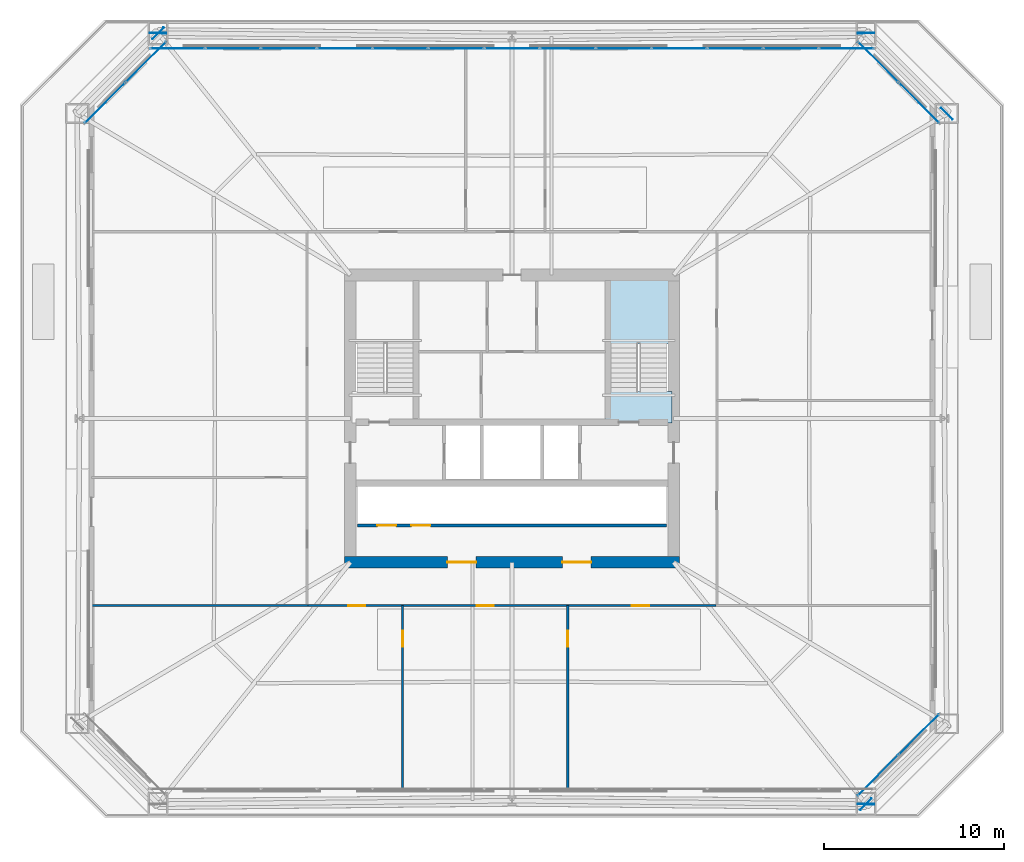
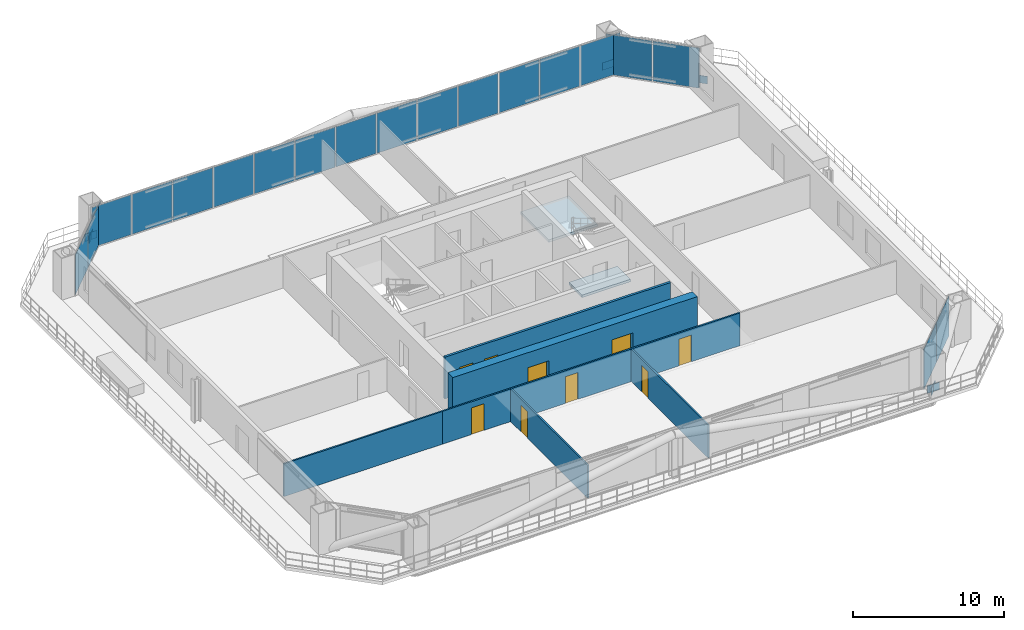
# One storey, part 28 of 34: 25 plates, 9 doors, 6 walls, 2 slabs, 9 openings, 5 elements without a shape of their own.
"""IFC4 building model written with IfcOpenShell, lengths in metres."""

from ifc_helpers import new_model, si_unit, direction, frame, frame_2d, origin, origin_2d, place, context, subcontext, project, spatial, polyline, rectangle, outline, extrude, material, layer, layer_set, type_object, element, fill, aggregate, save


model = new_model("IFC4")

# Units and contexts
model_context = context("Model", 3, precision=1e-05, world=origin(), true_north=direction((0.0, 1.0)))
body_context = subcontext(model_context, "Body", "Model", "MODEL_VIEW")
ifc_project = project(units=[si_unit("LENGTHUNIT", "METRE"), si_unit("AREAUNIT", "SQUARE_METRE"), si_unit("VOLUMEUNIT", "CUBIC_METRE"), si_unit("PLANEANGLEUNIT", "RADIAN"), si_unit("MASSUNIT", "GRAM", prefix="KILO")], contexts=[model_context])

# Site, building, storey
site_placement = place(None, origin())
site = spatial("IfcSite", under=ifc_project, at=site_placement, CompositionType="ELEMENT")
building_placement = place(site_placement, origin())
building = spatial("IfcBuilding", under=site, at=building_placement, Name="Caelvoria Tower", CompositionType="ELEMENT")
storey_placement = place(building_placement, frame((0.0, 0.0, 28.0)))
storey = spatial("IfcBuildingStorey", under=building, at=storey_placement, Name="L06", CompositionType="ELEMENT", Elevation=28.0)

# Curtain wall, plates
ifc_material_1 = material(Name="Anodised Bronze Aluminium and Low-E Glass", Category="aluminium")
ifc_layer_1 = layer(ifc_material_1, 0.18505859375, Name="Anodised Bronze Aluminium and Low-E Glass")
ifc_layer_set_1 = layer_set([ifc_layer_1], Name="CW System 2 Lower Tower Bronze Unitised Facade - Anodised Bronze Aluminium and Low-E Glass")
curtain_wall_type = type_object("IfcCurtainWallType", Name="CW System 2 Lower Tower Bronze Unitised Facade", PredefinedType="NOTDEFINED", material=ifc_layer_set_1)
curtain_wall_1_placement = place(storey_placement, origin())
curtain_wall_1 = element("IfcCurtainWall", 1, at=curtain_wall_1_placement, inside=storey, type_object=curtain_wall_type, Name="CW-02 Curtain Wall L06-E1", PredefinedType="NOTDEFINED")
ifc_material_2 = material(Name="Anodised Bronze Insulated Aluminium Panel", Category="aluminium")
ifc_layer_2 = layer(ifc_material_2, 0.031982421875, Name="Anodised Bronze Insulated Aluminium Panel")
ifc_layer_set_2 = layer_set([ifc_layer_2], Name="Insulated Bronze Spandrel Curtain Panel 32 - Anodised Bronze Insulated Aluminium Panel")
plate_type_1 = type_object("IfcPlateType", Name="Insulated Bronze Spandrel Curtain Panel 32", PredefinedType="CURTAIN_PANEL", material=ifc_layer_set_2)
plate_1_placement = place(storey_placement, frame((66.3857421875, 12.13720703125, 0.06494140625), z_axis=(0.0, 0.0, 1.0), x_axis=(0.707106781187, 0.707106781187, 0.0)))
plate_1 = element("IfcPlate", 2, at=plate_1_placement, type_object=plate_type_1, Name="CW-02 panel 1.1", PredefinedType="CURTAIN_PANEL", context=body_context, shape_type="SweptSolid", body=[
    extrude(rectangle(XDim=3.1552734375, YDim=0.031982421875, at=origin_2d()), origin(), (0.0, 0.0, 1.0), 3.22998046875),
])
plate_2_placement = place(storey_placement, frame((68.66259765625, 14.414306640625, 0.06494140625), z_axis=(0.0, 0.0, 1.0), x_axis=(0.707106781187, 0.707106781187, 0.0)))
plate_2 = element("IfcPlate", 3, at=plate_2_placement, type_object=plate_type_1, Name="CW-02 panel 2.1", PredefinedType="CURTAIN_PANEL", context=body_context, shape_type="SweptSolid", body=[
    extrude(rectangle(XDim=3.1552734375, YDim=0.031982421875, at=origin_2d()), origin(), (0.0, 0.0, 1.0), 3.22998046875),
])
aggregate(curtain_wall_1, [plate_1, plate_2])

curtain_wall_2_placement = place(storey_placement, origin())
curtain_wall_2 = element("IfcCurtainWall", 4, at=curtain_wall_2_placement, inside=storey, type_object=curtain_wall_type, Name="CW-02 Curtain Wall L06-E3", PredefinedType="NOTDEFINED")
plate_3_placement = place(storey_placement, frame((68.66259765625, 49.585693359375, 0.06494140625), z_axis=(0.0, 0.0, 1.0), x_axis=(-0.707106781187, 0.707106781187, 0.0)))
plate_3 = element("IfcPlate", 5, at=plate_3_placement, type_object=plate_type_1, Name="CW-02 panel 1.1", PredefinedType="CURTAIN_PANEL", context=body_context, shape_type="SweptSolid", body=[
    extrude(rectangle(XDim=3.1552734375, YDim=0.031982421875, at=origin_2d()), origin(), (0.0, 0.0, 1.0), 3.22998046875),
])
plate_4_placement = place(storey_placement, frame((66.3857421875, 51.86279296875, 0.06494140625), z_axis=(0.0, 0.0, 1.0), x_axis=(-0.707106781187, 0.707106781187, 0.0)))
plate_4 = element("IfcPlate", 6, at=plate_4_placement, type_object=plate_type_1, Name="CW-02 panel 2.1", PredefinedType="CURTAIN_PANEL", context=body_context, shape_type="SweptSolid", body=[
    extrude(rectangle(XDim=3.1552734375, YDim=0.031982421875, at=origin_2d()), origin(), (0.0, 0.0, 1.0), 3.22998046875),
])
aggregate(curtain_wall_2, [plate_3, plate_4])

curtain_wall_3_placement = place(storey_placement, origin())
curtain_wall_3 = element("IfcCurtainWall", 7, at=curtain_wall_3_placement, inside=storey, type_object=curtain_wall_type, Name="CW-02 Curtain Wall L06-E4", PredefinedType="NOTDEFINED")
plate_5_placement = place(storey_placement, frame((64.6298828125, 52.6201171875, 0.06494140625), z_axis=(0.0, 0.0, 1.0), x_axis=(-1.0, 0.0, 0.0)))
plate_5 = element("IfcPlate", 8, at=plate_5_placement, type_object=plate_type_1, Name="CW-02 panel 1.1", PredefinedType="CURTAIN_PANEL", context=body_context, shape_type="SweptSolid", body=[
    extrude(rectangle(XDim=3.01025390625, YDim=0.031982421875, at=origin_2d()), origin(), (0.0, 0.0, 1.0), 3.22998046875),
])
plate_6_placement = place(storey_placement, frame((61.53857421875, 52.6201171875, 0.06494140625), z_axis=(0.0, 0.0, 1.0), x_axis=(-1.0, 0.0, 0.0)))
plate_6 = element("IfcPlate", 9, at=plate_6_placement, type_object=plate_type_1, Name="CW-02 panel 2.1", PredefinedType="CURTAIN_PANEL", context=body_context, shape_type="SweptSolid", body=[
    extrude(rectangle(XDim=3.042724609375, YDim=0.031982421875, at=origin_2d()), origin(), (0.0, 0.0, 1.0), 3.22998046875),
])
plate_7_placement = place(storey_placement, frame((58.4306640625, 52.6201171875, 0.06494140625), z_axis=(0.0, 0.0, 1.0), x_axis=(-1.0, 0.0, 0.0)))
plate_7 = element("IfcPlate", 10, at=plate_7_placement, type_object=plate_type_1, Name="CW-02 panel 3.1", PredefinedType="CURTAIN_PANEL", context=body_context, shape_type="SweptSolid", body=[
    extrude(rectangle(XDim=3.042724609375, YDim=0.031982421875, at=origin_2d()), origin(), (0.0, 0.0, 1.0), 3.22998046875),
])
plate_8_placement = place(storey_placement, frame((55.322998046875, 52.6201171875, 0.06494140625), z_axis=(0.0, 0.0, 1.0), x_axis=(-1.0, 0.0, 0.0)))
plate_8 = element("IfcPlate", 11, at=plate_8_placement, type_object=plate_type_1, Name="CW-02 panel 4.1", PredefinedType="CURTAIN_PANEL", context=body_context, shape_type="SweptSolid", body=[
    extrude(rectangle(XDim=3.042724609375, YDim=0.031982421875, at=origin_2d()), origin(), (0.0, 0.0, 1.0), 3.22998046875),
])
plate_9_placement = place(storey_placement, frame((52.21533203125, 52.6201171875, 0.06494140625), z_axis=(0.0, 0.0, 1.0), x_axis=(-1.0, 0.0, 0.0)))
plate_9 = element("IfcPlate", 12, at=plate_9_placement, type_object=plate_type_1, Name="CW-02 panel 5.1", PredefinedType="CURTAIN_PANEL", context=body_context, shape_type="SweptSolid", body=[
    extrude(rectangle(XDim=3.042724609375, YDim=0.031982421875, at=origin_2d()), origin(), (0.0, 0.0, 1.0), 3.22998046875),
])
plate_10_placement = place(storey_placement, frame((49.107666015625, 52.6201171875, 0.06494140625), z_axis=(0.0, 0.0, 1.0), x_axis=(-1.0, 0.0, 0.0)))
plate_10 = element("IfcPlate", 13, at=plate_10_placement, type_object=plate_type_1, Name="CW-02 panel 6.1", PredefinedType="CURTAIN_PANEL", context=body_context, shape_type="SweptSolid", body=[
    extrude(rectangle(XDim=3.042724609375, YDim=0.031982421875, at=origin_2d()), origin(), (0.0, 0.0, 1.0), 3.22998046875),
])
plate_11_placement = place(storey_placement, frame((46.0, 52.6201171875, 0.06494140625), z_axis=(0.0, 0.0, 1.0), x_axis=(-1.0, 0.0, 0.0)))
plate_11 = element("IfcPlate", 14, at=plate_11_placement, type_object=plate_type_1, Name="CW-02 panel 7.1", PredefinedType="CURTAIN_PANEL", context=body_context, shape_type="SweptSolid", body=[
    extrude(rectangle(XDim=3.042724609375, YDim=0.031982421875, at=origin_2d()), origin(), (0.0, 0.0, 1.0), 3.22998046875),
])
plate_12_placement = place(storey_placement, frame((42.892333984375, 52.6201171875, 0.06494140625), z_axis=(0.0, 0.0, 1.0), x_axis=(-1.0, 0.0, 0.0)))
plate_12 = element("IfcPlate", 15, at=plate_12_placement, type_object=plate_type_1, Name="CW-02 panel 8.1", PredefinedType="CURTAIN_PANEL", context=body_context, shape_type="SweptSolid", body=[
    extrude(rectangle(XDim=3.042724609375, YDim=0.031982421875, at=origin_2d()), origin(), (0.0, 0.0, 1.0), 3.22998046875),
])
plate_13_placement = place(storey_placement, frame((39.78466796875, 52.6201171875, 0.06494140625), z_axis=(0.0, 0.0, 1.0), x_axis=(-1.0, 0.0, 0.0)))
plate_13 = element("IfcPlate", 16, at=plate_13_placement, type_object=plate_type_1, Name="CW-02 panel 9.1", PredefinedType="CURTAIN_PANEL", context=body_context, shape_type="SweptSolid", body=[
    extrude(rectangle(XDim=3.042724609375, YDim=0.031982421875, at=origin_2d()), origin(), (0.0, 0.0, 1.0), 3.22998046875),
])
plate_14_placement = place(storey_placement, frame((36.677001953125, 52.6201171875, 0.06494140625), z_axis=(0.0, 0.0, 1.0), x_axis=(-1.0, 0.0, 0.0)))
plate_14 = element("IfcPlate", 17, at=plate_14_placement, type_object=plate_type_1, Name="CW-02 panel 10.1", PredefinedType="CURTAIN_PANEL", context=body_context, shape_type="SweptSolid", body=[
    extrude(rectangle(XDim=3.042724609375, YDim=0.031982421875, at=origin_2d()), origin(), (0.0, 0.0, 1.0), 3.22998046875),
])
plate_15_placement = place(storey_placement, frame((33.5693359375, 52.6201171875, 0.06494140625), z_axis=(0.0, 0.0, 1.0), x_axis=(-1.0, 0.0, 0.0)))
plate_15 = element("IfcPlate", 18, at=plate_15_placement, type_object=plate_type_1, Name="CW-02 panel 11.1", PredefinedType="CURTAIN_PANEL", context=body_context, shape_type="SweptSolid", body=[
    extrude(rectangle(XDim=3.042724609375, YDim=0.031982421875, at=origin_2d()), origin(), (0.0, 0.0, 1.0), 3.22998046875),
])
plate_16_placement = place(storey_placement, frame((30.46142578125, 52.6201171875, 0.06494140625), z_axis=(0.0, 0.0, 1.0), x_axis=(-1.0, 0.0, 0.0)))
plate_16 = element("IfcPlate", 19, at=plate_16_placement, type_object=plate_type_1, Name="CW-02 panel 12.1", PredefinedType="CURTAIN_PANEL", context=body_context, shape_type="SweptSolid", body=[
    extrude(rectangle(XDim=3.042724609375, YDim=0.031982421875, at=origin_2d()), origin(), (0.0, 0.0, 1.0), 3.22998046875),
])
plate_17_placement = place(storey_placement, frame((27.3701171875, 52.6201171875, 0.06494140625), z_axis=(0.0, 0.0, 1.0), x_axis=(-1.0, 0.0, 0.0)))
plate_17 = element("IfcPlate", 20, at=plate_17_placement, type_object=plate_type_1, Name="CW-02 panel 13.1", PredefinedType="CURTAIN_PANEL", context=body_context, shape_type="SweptSolid", body=[
    extrude(rectangle(XDim=3.01025390625, YDim=0.031982421875, at=origin_2d()), origin(), (0.0, 0.0, 1.0), 3.22998046875),
])
aggregate(curtain_wall_3, [plate_5, plate_6, plate_7, plate_8, plate_9, plate_10, plate_11, plate_12, plate_13, plate_14, plate_15, plate_16, plate_17])

curtain_wall_4_placement = place(storey_placement, origin())
curtain_wall_4 = element("IfcCurtainWall", 21, at=curtain_wall_4_placement, inside=storey, type_object=curtain_wall_type, Name="CW-02 Curtain Wall L06-E5", PredefinedType="NOTDEFINED")
plate_18_placement = place(storey_placement, frame((25.6142578125, 51.86279296875, 0.06494140625), z_axis=(0.0, 0.0, 1.0), x_axis=(-0.707106781187, -0.707106781187, 0.0)))
plate_18 = element("IfcPlate", 22, at=plate_18_placement, type_object=plate_type_1, Name="CW-02 panel 1.1", PredefinedType="CURTAIN_PANEL", context=body_context, shape_type="SweptSolid", body=[
    extrude(rectangle(XDim=3.1552734375, YDim=0.031982421875, at=origin_2d()), origin(), (0.0, 0.0, 1.0), 3.22998046875),
])
plate_19_placement = place(storey_placement, frame((23.33740234375, 49.585693359375, 0.06494140625), z_axis=(0.0, 0.0, 1.0), x_axis=(-0.707106781187, -0.707106781187, 0.0)))
plate_19 = element("IfcPlate", 23, at=plate_19_placement, type_object=plate_type_1, Name="CW-02 panel 2.1", PredefinedType="CURTAIN_PANEL", context=body_context, shape_type="SweptSolid", body=[
    extrude(rectangle(XDim=3.1552734375, YDim=0.031982421875, at=origin_2d()), origin(), (0.0, 0.0, 1.0), 3.22998046875),
])
aggregate(curtain_wall_4, [plate_18, plate_19])

# Plates
ifc_material_3 = material(Name="Structural Steel ASTM A572 Gr.50", Category="steel")
ifc_layer_3 = layer(ifc_material_3, 0.0400390625, Name="Structural Steel ASTM A572 Gr.50")
ifc_layer_set_3 = layer_set([ifc_layer_3], Name="Megaframe Node Gusset Plate 900x600x40 - Structural Steel ASTM A572 Gr.50")
plate_type_2 = type_object("IfcPlateType", Name="Megaframe Node Gusset Plate 900x600x40", PredefinedType="USERDEFINED", material=ifc_layer_set_3)
for number, where, z_axis, x_axis, name in (
    (24, (65.712890625, 10.530517578125, 0.02001953125), (0.0, 0.0, 1.0), (0.708247433284, 0.705964286099, 0.0), "Chamfer Mega Brace Gusset L06 SE"),
    (25, (70.210693359375, 48.986572265625, 0.02001953125), (0.0, 0.0, 1.0), (-0.708247433284, 0.705964286099, 0.0), "Chamfer Mega Brace Gusset L06 NE"),
    (26, (26.287109375, 53.469482421875, 0.02001953125), (0.0, 0.0, 1.0), (-0.708247433284, -0.705964286099, 0.0), "Chamfer Mega Brace Gusset L06 NW"),
    (27, (65.712890625, 10.530517578125, 0.050048828125), (0.0, 0.0, 1.0), (-0.999953742494, 0.009618361198, 0.0), "Megaframe Node Gusset Plate ND-01"),
    (28, (65.712890625, 53.469482421875, 0.050048828125), (0.0, 0.0, 1.0), (-0.999953742494, -0.009618361198, 0.0), "Megaframe Node Gusset Plate ND-01"),
    (29, (26.287109375, 53.469482421875, 0.050048828125), (0.0, 0.0, 1.0), (0.999953742494, -0.009618361198, 0.0), "Megaframe Node Gusset Plate ND-01"),
):
    element("IfcPlate", number, at=place(storey_placement, frame(where, z_axis=z_axis, x_axis=x_axis)), inside=storey, type_object=plate_type_2, Name=name, ObjectType="GUSSET_PLATE", PredefinedType="USERDEFINED", context=body_context, shape_type="SweptSolid", body=[
        extrude(rectangle(XDim=0.89990234375, YDim=0.0400390625, at=origin_2d()), origin(), (0.0, 0.0, 1.0), 0.60009765625),
    ])

# Stair, slabs
ifc_material_4 = material(Name="Concrete C40/50", Category="concrete")
stair_type = type_object("IfcStairType", Name="Core Smokeproof Dogleg Stair Concrete C40/50", PredefinedType="HALF_TURN_STAIR", material=ifc_material_4)
stair_placement = place(storey_placement, origin())
stair = element("IfcStair", 30, at=stair_placement, inside=storey, type_object=stair_type, Name="ST-02 Smokeproof Exit Stair L06", PredefinedType="HALF_TURN_STAIR")
ifc_layer_4 = layer(ifc_material_4, 0.199951171875, Name="Concrete C40/50")
ifc_layer_set_4 = layer_set([ifc_layer_4], Name="Stair Half and Floor Landing Slab 200 Concrete C40/50 - Concrete C40/50")
slab_type = type_object("IfcSlabType", Name="Stair Half and Floor Landing Slab 200 Concrete C40/50", PredefinedType="LANDING", material=ifc_layer_set_4)
slab_1_placement = place(storey_placement, frame((0.0, 0.0, -0.199951171875)))
slab_1 = element("IfcSlab", 31, at=slab_1_placement, type_object=slab_type, Name="ST-02 landing 1", PredefinedType="LANDING", context=body_context, shape_type="SweptSolid", body=[
    extrude(outline(polyline([(51.199951171875, 31.77001953125), (54.89990234375, 31.77001953125), (54.89990234375, 33.5), (51.199951171875, 33.5), (51.199951171875, 31.77001953125)])), origin(), (0.0, 0.0, 1.0), 0.199951171875),
])
slab_2_placement = place(storey_placement, frame((0.0, 0.0, 1.60009765625)))
slab_2 = element("IfcSlab", 32, at=slab_2_placement, type_object=slab_type, Name="ST-02 landing 2", PredefinedType="LANDING", context=body_context, shape_type="SweptSolid", body=[
    extrude(outline(polyline([(51.199951171875, 36.14990234375), (54.89990234375, 36.14990234375), (54.89990234375, 39.89990234375), (51.199951171875, 39.89990234375), (51.199951171875, 36.14990234375)])), origin(), (0.0, 0.0, 1.0), 0.199951171875),
])
aggregate(stair, [slab_1, slab_2])

# Wall, openings, doors
ifc_material_5 = material(Name="Concrete Block and Fireboard Assembly", Category="concrete")
ifc_layer_5 = layer(ifc_material_5, 0.179931640625, Name="Concrete Block and Fireboard Assembly")
ifc_layer_set_5 = layer_set([ifc_layer_5], Name="Fire-Rated Hoistway Partition Wall 180 - Concrete Block and Fireboard Assembly")
wall_type_1 = type_object("IfcWallType", Name="Fire-Rated Hoistway Partition Wall 180", PredefinedType="PARTITIONING", material=ifc_layer_set_5)
wall_1_placement = place(storey_placement, frame((37.39990234375, 26.050048828125, 0.0), z_axis=(0.0, 0.0, 1.0), x_axis=(1.0, 0.0, 0.0)))
wall_1 = element("IfcWall", 33, at=wall_1_placement, inside=storey, type_object=wall_type_1, Name="Interior Partition IW-L06-LFRONT", PredefinedType="PARTITIONING", context=body_context, shape_type="SweptSolid", body=[
    extrude(rectangle(XDim=17.2001953125, YDim=0.179931640625, at=frame_2d((8.60009765625, 0.0))), origin(), (0.0, 0.0, 1.0), 3.360107421875),
])
opening_1_placement = place(wall_1_placement, frame((1.10009765625, 0.0, 0.0)))
opening_1 = element("IfcOpeningElement", 34, at=opening_1_placement, cuts=wall_1, Name="Opening LD-01", PredefinedType="OPENING", context=body_context, shape_type="SweptSolid", body=[
    extrude(rectangle(XDim=1.050048828125, YDim=2.14990234375, at=frame_2d((0.52490234375, 1.074951171875))), frame((0.0, 0.099853515625, 0.0), z_axis=(0.0, -1.0, 0.0), x_axis=(1.0, 0.0, 0.0)), (0.0, 0.0, 1.0), 0.199951171875),
])
opening_2_placement = place(wall_1_placement, frame((3.0, 0.0, 0.0)))
opening_2 = element("IfcOpeningElement", 35, at=opening_2_placement, cuts=wall_1, Name="Opening LD-01", PredefinedType="OPENING", context=body_context, shape_type="SweptSolid", body=[
    extrude(rectangle(XDim=1.050048828125, YDim=2.14990234375, at=frame_2d((0.52490234375, 1.074951171875))), frame((0.0, 0.099853515625, 0.0), z_axis=(0.0, -1.0, 0.0), x_axis=(1.0, 0.0, 0.0)), (0.0, 0.0, 1.0), 0.199951171875),
])
ifc_material_6 = material(Name="Brushed Bronze Stainless Sliding Landing Door", Category="aluminium")
door_type_1 = type_object("IfcDoorType", Name="Lift Landing Sliding Door 1100x2150", OperationType="NOTDEFINED", PredefinedType="DOOR", material=ifc_material_6)
door_1_placement = place(opening_1_placement, origin())
door_1 = element("IfcDoor", 36, at=door_1_placement, inside=storey, type_object=door_type_1, Name="Interior Door LD-L06-PL1", OperationType="SLIDING_TO_LEFT", OverallHeight=2.14990234375, OverallWidth=1.050048828125, PredefinedType="DOOR", context=body_context, shape_type="SweptSolid", body=[
    extrude(rectangle(XDim=1.050048828125, YDim=2.14990234375, at=frame_2d((0.52490234375, 1.074951171875))), frame((0.0, 0.02490234375, 0.0), z_axis=(0.0, -1.0, 0.0), x_axis=(1.0, 0.0, 0.0)), (0.0, 0.0, 1.0), 0.050048828125),
])
fill(opening_1, door_1)
door_2_placement = place(opening_2_placement, origin())
door_2 = element("IfcDoor", 37, at=door_2_placement, inside=storey, type_object=door_type_1, Name="Interior Door LD-L06-PL2", OperationType="SLIDING_TO_RIGHT", OverallHeight=2.14990234375, OverallWidth=1.050048828125, PredefinedType="DOOR", context=body_context, shape_type="SweptSolid", body=[
    extrude(rectangle(XDim=1.050048828125, YDim=2.14990234375, at=frame_2d((0.52490234375, 1.074951171875))), frame((0.0, 0.02490234375, 0.0), z_axis=(0.0, -1.0, 0.0), x_axis=(1.0, 0.0, 0.0)), (0.0, 0.0, 1.0), 0.050048828125),
])
fill(opening_2, door_2)

ifc_material_7 = material(Name="Concrete C60/75", Category="concrete")
ifc_layer_6 = layer(ifc_material_7, 0.64990234375, Name="Concrete C60/75")
ifc_layer_set_6 = layer_set([ifc_layer_6], Name="Lower Core Shear Wall 650 - Concrete C60/75")
wall_type_2 = type_object("IfcWallType", Name="Lower Core Shear Wall 650", PredefinedType="SHEAR", material=ifc_layer_set_6)
wall_2_placement = place(storey_placement, frame((36.675048828125, 24.0, 0.0), z_axis=(0.0, 0.0, 1.0), x_axis=(1.0, 0.0, 0.0)))
wall_2 = element("IfcWall", 38, at=wall_2_placement, inside=storey, type_object=wall_type_2, Name="Core Shear Wall L06 S", PredefinedType="SHEAR", context=body_context, shape_type="SweptSolid", body=[
    extrude(rectangle(XDim=18.64990234375, YDim=0.64990234375, at=frame_2d((9.324951171875, 0.0))), origin(), (0.0, 0.0, 1.0), 3.360107421875),
])
opening_3_placement = place(wall_2_placement, frame((5.72509765625, 0.0, 0.0)))
opening_3 = element("IfcOpeningElement", 39, at=opening_3_placement, cuts=wall_2, Name="Opening ID-08", PredefinedType="OPENING", context=body_context, shape_type="SweptSolid", body=[
    extrude(rectangle(XDim=1.60009765625, YDim=2.14990234375, at=frame_2d((0.800048828125, 1.074951171875))), frame((0.0, 0.3349609375, 0.0), z_axis=(0.0, -1.0, 0.0), x_axis=(1.0, 0.0, 0.0)), (0.0, 0.0, 1.0), 0.669921875),
])
opening_4_placement = place(wall_2_placement, frame((12.125, 0.0, 0.0)))
opening_4 = element("IfcOpeningElement", 40, at=opening_4_placement, cuts=wall_2, Name="Opening ID-08", PredefinedType="OPENING", context=body_context, shape_type="SweptSolid", body=[
    extrude(rectangle(XDim=1.60009765625, YDim=2.14990234375, at=frame_2d((0.800048828125, 1.074951171875))), frame((0.0, 0.3349609375, 0.0), z_axis=(0.0, -1.0, 0.0), x_axis=(1.0, 0.0, 0.0)), (0.0, 0.0, 1.0), 0.669921875),
])
ifc_material_8 = material(Name="Bronze-Framed Fire-Rated Glazed Double Door", Category="aluminium")
door_type_2 = type_object("IfcDoorType", Name="Double Lobby Glazed Door 1600x2200", OperationType="NOTDEFINED", PredefinedType="DOOR", material=ifc_material_8)
door_3_placement = place(opening_3_placement, origin())
door_3 = element("IfcDoor", 41, at=door_3_placement, inside=storey, type_object=door_type_2, Name="Core Door DR-L06-LLOB-S1", OperationType="DOUBLE_DOOR_SINGLE_SWING", OverallHeight=2.14990234375, OverallWidth=1.60009765625, PredefinedType="DOOR", context=body_context, shape_type="SweptSolid", body=[
    extrude(rectangle(XDim=1.60009765625, YDim=2.14990234375, at=frame_2d((0.800048828125, 1.074951171875))), frame((0.0, 0.02490234375, 0.0), z_axis=(0.0, -1.0, 0.0), x_axis=(1.0, 0.0, 0.0)), (0.0, 0.0, 1.0), 0.050048828125),
])
fill(opening_3, door_3)
door_4_placement = place(opening_4_placement, origin())
door_4 = element("IfcDoor", 42, at=door_4_placement, inside=storey, type_object=door_type_2, Name="Core Door DR-L06-LLOB-S2", OperationType="DOUBLE_DOOR_SINGLE_SWING", OverallHeight=2.14990234375, OverallWidth=1.60009765625, PredefinedType="DOOR", context=body_context, shape_type="SweptSolid", body=[
    extrude(rectangle(XDim=1.60009765625, YDim=2.14990234375, at=frame_2d((0.800048828125, 1.074951171875))), frame((0.0, 0.02490234375, 0.0), z_axis=(0.0, -1.0, 0.0), x_axis=(1.0, 0.0, 0.0)), (0.0, 0.0, 1.0), 0.050048828125),
])
fill(opening_4, door_4)

# Wall, opening, door
ifc_material_9 = material(Name="Acoustic Gypsum Board on Light-Gauge Stud", Category="gypsum")
ifc_layer_7 = layer(ifc_material_9, 0.1201171875, Name="Acoustic Gypsum Board on Light-Gauge Stud")
ifc_layer_set_7 = layer_set([ifc_layer_7], Name="Tenant Suite Acoustic Partition Wall 120 - Acoustic Gypsum Board on Light-Gauge Stud")
wall_type_3 = type_object("IfcWallType", Name="Tenant Suite Acoustic Partition Wall 120", PredefinedType="PARTITIONING", material=ifc_layer_set_7)
wall_3_placement = place(storey_placement, frame((39.90869140625, 21.590087890625, 0.0), z_axis=(0.0, 0.0, 1.0), x_axis=(0.0, -1.0, 0.0)))
wall_3 = element("IfcWall", 43, at=wall_3_placement, inside=storey, type_object=wall_type_3, Name="Interior Partition IW-L06-SD-00-0", PredefinedType="PARTITIONING", context=body_context, shape_type="SweptSolid", body=[
    extrude(rectangle(XDim=10.210205078125, YDim=0.1201171875, at=frame_2d((5.10498046875, 0.0))), origin(), (0.0, 0.0, 1.0), 2.639892578125),
])
opening_5_placement = place(wall_3_placement, frame((1.39990234375, 0.0, 0.0)))
opening_5 = element("IfcOpeningElement", 44, at=opening_5_placement, cuts=wall_3, Name="Opening ID-06", PredefinedType="OPENING", context=body_context, shape_type="SweptSolid", body=[
    extrude(rectangle(XDim=0.89990234375, YDim=2.14990234375, at=frame_2d((0.449951171875, 1.074951171875))), frame((0.0, 0.070068359375, 0.0), z_axis=(0.0, -1.0, 0.0), x_axis=(1.0, 0.0, 0.0)), (0.0, 0.0, 1.0), 0.14013671875),
])
ifc_material_10 = material(Name="Engineered Andean Oak Veneer Door", Category="wood")
door_type_3 = type_object("IfcDoorType", Name="Interior Timber Door 900x2150", OperationType="NOTDEFINED", PredefinedType="DOOR", material=ifc_material_10)
door_5_placement = place(opening_5_placement, origin())
door_5 = element("IfcDoor", 45, at=door_5_placement, inside=storey, type_object=door_type_3, Name="Interior Door DR-L06-SM-00-0", OperationType="SINGLE_SWING_RIGHT", OverallHeight=2.14990234375, OverallWidth=0.89990234375, PredefinedType="DOOR", context=body_context, shape_type="SweptSolid", body=[
    extrude(rectangle(XDim=0.89990234375, YDim=2.14990234375, at=frame_2d((0.449951171875, 1.074951171875))), frame((0.0, 0.02490234375, 0.0), z_axis=(0.0, -1.0, 0.0), x_axis=(1.0, 0.0, 0.0)), (0.0, 0.0, 1.0), 0.050048828125),
])
fill(opening_5, door_5)

wall_4_placement = place(storey_placement, frame((49.102294921875, 21.590087890625, 0.0), z_axis=(0.0, 0.0, 1.0), x_axis=(0.0, -1.0, 0.0)))
wall_4 = element("IfcWall", 46, at=wall_4_placement, inside=storey, type_object=wall_type_3, Name="Interior Partition IW-L06-SD-01-0", PredefinedType="PARTITIONING", context=body_context, shape_type="SweptSolid", body=[
    extrude(rectangle(XDim=10.210205078125, YDim=0.1201171875, at=frame_2d((5.10498046875, 0.0))), origin(), (0.0, 0.0, 1.0), 2.639892578125),
])
opening_6_placement = place(wall_4_placement, frame((1.39990234375, 0.0, 0.0)))
opening_6 = element("IfcOpeningElement", 47, at=opening_6_placement, cuts=wall_4, Name="Opening ID-06", PredefinedType="OPENING", context=body_context, shape_type="SweptSolid", body=[
    extrude(rectangle(XDim=0.89990234375, YDim=2.14990234375, at=frame_2d((0.449951171875, 1.074951171875))), frame((0.0, 0.070068359375, 0.0), z_axis=(0.0, -1.0, 0.0), x_axis=(1.0, 0.0, 0.0)), (0.0, 0.0, 1.0), 0.14013671875),
])
door_6_placement = place(opening_6_placement, origin())
door_6 = element("IfcDoor", 48, at=door_6_placement, inside=storey, type_object=door_type_3, Name="Interior Door DR-L06-SM-01-0", OperationType="SINGLE_SWING_LEFT", OverallHeight=2.14990234375, OverallWidth=0.89990234375, PredefinedType="DOOR", context=body_context, shape_type="SweptSolid", body=[
    extrude(rectangle(XDim=0.89990234375, YDim=2.14990234375, at=frame_2d((0.449951171875, 1.074951171875))), frame((0.0, 0.02490234375, 0.0), z_axis=(0.0, -1.0, 0.0), x_axis=(1.0, 0.0, 0.0)), (0.0, 0.0, 1.0), 0.050048828125),
])
fill(opening_6, door_6)

# Wall, openings, doors
wall_5_placement = place(storey_placement, frame((34.64990234375, 21.590087890625, 0.0), z_axis=(0.0, 0.0, 1.0), x_axis=(1.0, 0.0, 0.0)))
wall_5 = element("IfcWall", 49, at=wall_5_placement, inside=storey, type_object=wall_type_3, Name="Interior Partition IW-L06-SCW-0", PredefinedType="PARTITIONING", context=body_context, shape_type="SweptSolid", body=[
    extrude(rectangle(XDim=22.7001953125, YDim=0.1201171875, at=frame_2d((11.35009765625, 0.0))), origin(), (0.0, 0.0, 1.0), 2.639892578125),
])
opening_7_placement = place(wall_5_placement, frame((2.224365234375, 0.0, 0.0)))
opening_7 = element("IfcOpeningElement", 50, at=opening_7_placement, cuts=wall_5, Name="Opening ID-05", PredefinedType="OPENING", context=body_context, shape_type="SweptSolid", body=[
    extrude(rectangle(XDim=0.949951171875, YDim=2.14990234375, at=frame_2d((0.47509765625, 1.074951171875))), frame((0.0, 0.070068359375, 0.0), z_axis=(0.0, -1.0, 0.0), x_axis=(1.0, 0.0, 0.0)), (0.0, 0.0, 1.0), 0.14013671875),
])
opening_8_placement = place(wall_5_placement, frame((9.380615234375, 0.0, 0.0)))
opening_8 = element("IfcOpeningElement", 51, at=opening_8_placement, cuts=wall_5, Name="Opening ID-05", PredefinedType="OPENING", context=body_context, shape_type="SweptSolid", body=[
    extrude(rectangle(XDim=0.949951171875, YDim=2.14990234375, at=frame_2d((0.47509765625, 1.074951171875))), frame((0.0, 0.070068359375, 0.0), z_axis=(0.0, -1.0, 0.0), x_axis=(1.0, 0.0, 0.0)), (0.0, 0.0, 1.0), 0.14013671875),
])
opening_9_placement = place(wall_5_placement, frame((18.03125, 0.0, 0.0)))
opening_9 = element("IfcOpeningElement", 52, at=opening_9_placement, cuts=wall_5, Name="Opening ID-05", PredefinedType="OPENING", context=body_context, shape_type="SweptSolid", body=[
    extrude(rectangle(XDim=0.949951171875, YDim=2.14990234375, at=frame_2d((0.47509765625, 1.074951171875))), frame((0.0, 0.070068359375, 0.0), z_axis=(0.0, -1.0, 0.0), x_axis=(1.0, 0.0, 0.0)), (0.0, 0.0, 1.0), 0.14013671875),
])
door_type_4 = type_object("IfcDoorType", Name="Interior Timber Door 950x2150", OperationType="NOTDEFINED", PredefinedType="DOOR", material=ifc_material_10)
door_7_placement = place(opening_7_placement, origin())
door_7 = element("IfcDoor", 53, at=door_7_placement, inside=storey, type_object=door_type_4, Name="Interior Door DR-L06-SC-00-0", OperationType="SINGLE_SWING_LEFT", OverallHeight=2.14990234375, OverallWidth=0.949951171875, PredefinedType="DOOR", context=body_context, shape_type="SweptSolid", body=[
    extrude(rectangle(XDim=0.949951171875, YDim=2.14990234375, at=frame_2d((0.47509765625, 1.074951171875))), frame((0.0, 0.02490234375, 0.0), z_axis=(0.0, -1.0, 0.0), x_axis=(1.0, 0.0, 0.0)), (0.0, 0.0, 1.0), 0.050048828125),
])
fill(opening_7, door_7)
door_8_placement = place(opening_8_placement, origin())
door_8 = element("IfcDoor", 54, at=door_8_placement, inside=storey, type_object=door_type_4, Name="Interior Door DR-L06-SC-01-0", OperationType="SINGLE_SWING_RIGHT", OverallHeight=2.14990234375, OverallWidth=0.949951171875, PredefinedType="DOOR", context=body_context, shape_type="SweptSolid", body=[
    extrude(rectangle(XDim=0.949951171875, YDim=2.14990234375, at=frame_2d((0.47509765625, 1.074951171875))), frame((0.0, 0.02490234375, 0.0), z_axis=(0.0, -1.0, 0.0), x_axis=(1.0, 0.0, 0.0)), (0.0, 0.0, 1.0), 0.050048828125),
])
fill(opening_8, door_8)
door_9_placement = place(opening_9_placement, origin())
door_9 = element("IfcDoor", 55, at=door_9_placement, inside=storey, type_object=door_type_4, Name="Interior Door DR-L06-SC-02-0", OperationType="SINGLE_SWING_LEFT", OverallHeight=2.14990234375, OverallWidth=0.949951171875, PredefinedType="DOOR", context=body_context, shape_type="SweptSolid", body=[
    extrude(rectangle(XDim=0.949951171875, YDim=2.14990234375, at=frame_2d((0.47509765625, 1.074951171875))), frame((0.0, 0.02490234375, 0.0), z_axis=(0.0, -1.0, 0.0), x_axis=(1.0, 0.0, 0.0)), (0.0, 0.0, 1.0), 0.050048828125),
])
fill(opening_9, door_9)

# Wall
wall_6_placement = place(storey_placement, frame((34.64990234375, 21.590087890625, 0.0), z_axis=(0.0, 0.0, 1.0), x_axis=(-1.0, 0.0, 0.0)))
element("IfcWall", 56, at=wall_6_placement, inside=storey, type_object=wall_type_3, Name="Interior Partition IW-L06-BSW-0", PredefinedType="PARTITIONING", context=body_context, shape_type="SweptSolid", body=[
    extrude(rectangle(XDim=12.06982421875, YDim=0.1201171875, at=frame_2d((6.034912109375, 0.0))), origin(), (0.0, 0.0, 1.0), 2.639892578125),
])

save(model, "model.ifc")
